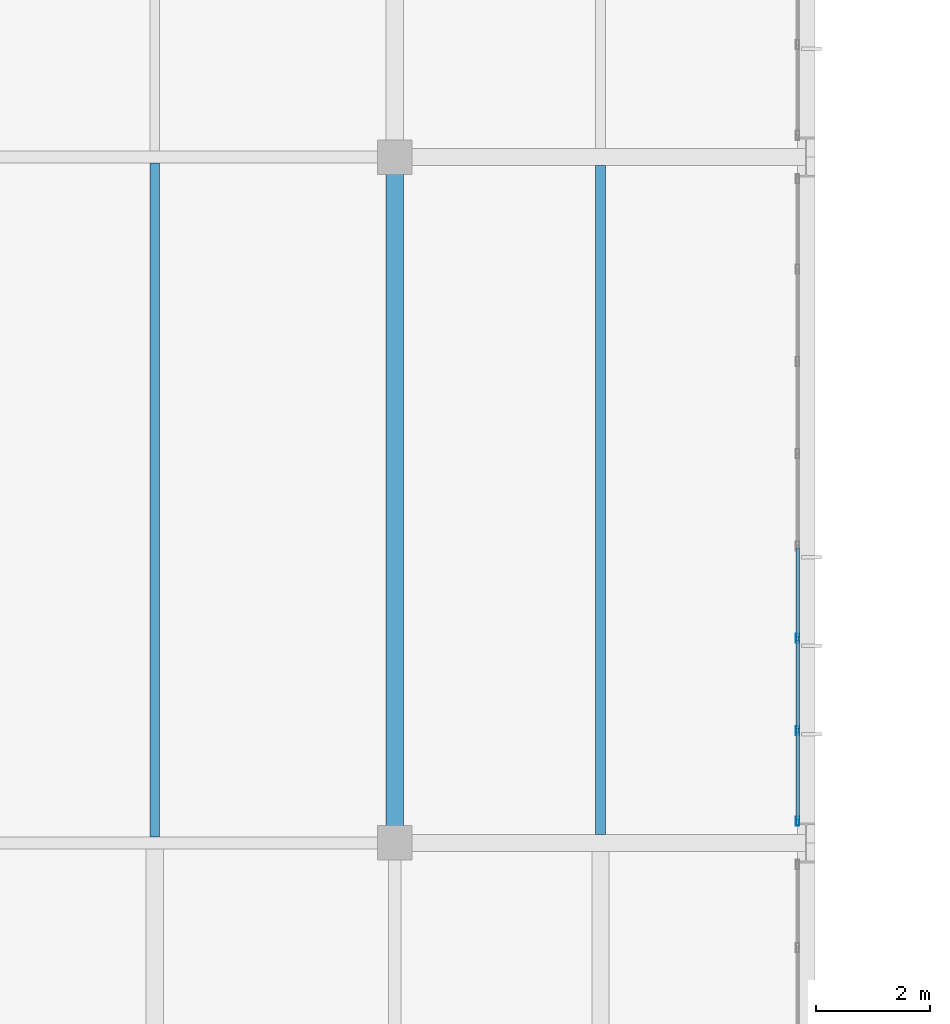
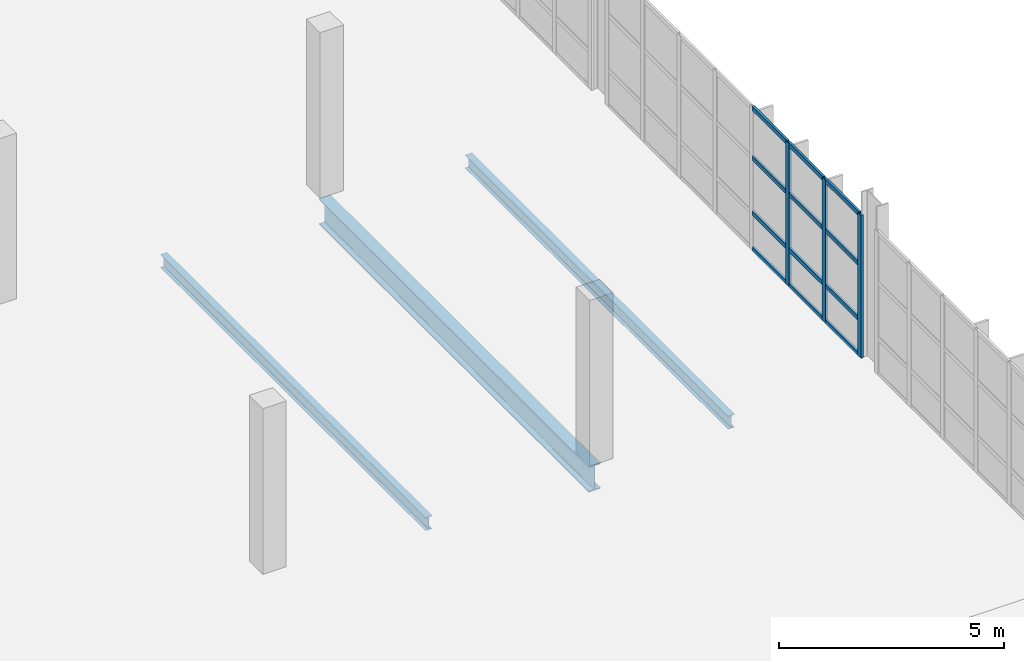
# One storey, part 75 of 113: 15 members, 3 beams, 1 element without a shape of its own.
"""IFC4 building model written with IfcOpenShell, lengths in metres."""

from ifc_helpers import new_model, si_unit, direction, frame, origin, origin_2d, place, context, subcontext, project, spatial, hollow_rectangle, i_section, extrude, material, material_profile, profile_set, type_object, element, aggregate, save


model = new_model("IFC4")

# Units and contexts
model_context = context("Model", 3, precision=1e-05, world=origin(), true_north=direction((0.0, 1.0)))
body_context = subcontext(model_context, "Body", "Model", "MODEL_VIEW")
ifc_project = project(units=[si_unit("LENGTHUNIT", "METRE"), si_unit("AREAUNIT", "SQUARE_METRE"), si_unit("VOLUMEUNIT", "CUBIC_METRE"), si_unit("PLANEANGLEUNIT", "RADIAN"), si_unit("MASSUNIT", "GRAM", prefix="KILO")], contexts=[model_context])

# Site, building, storey
site_placement = place(None, origin())
site = spatial("IfcSite", under=ifc_project, at=site_placement, CompositionType="ELEMENT")
building_placement = place(site_placement, origin())
building = spatial("IfcBuilding", under=site, at=building_placement, Name="Veltarok Museum of Natural Sciences", CompositionType="ELEMENT")
storey_placement = place(building_placement, frame((0.0, 0.0, 8.39990234375)))
storey = spatial("IfcBuildingStorey", under=building, at=storey_placement, Name="L01", CompositionType="ELEMENT", Elevation=8.39990234375)

# Curtain wall, members
ifc_material_1 = material(Name="Low-iron triple insulated glass", Category="glass")
curtain_wall_type = type_object("IfcCurtainWallType", Name="Curtain Wall System CW-V5E-L01-E-1130x388 (V5 East Lab L01 E-F 1130x388cm)", PredefinedType="NOTDEFINED", material=ifc_material_1)
curtain_wall_placement = place(storey_placement, origin())
curtain_wall = element("IfcCurtainWall", 1, at=curtain_wall_placement, inside=storey, type_object=curtain_wall_type, Name="Curtain Wall CW-V5E-L01-E-1130x388 CW-0106", PredefinedType="NOTDEFINED")
ifc_material_2 = material(Name="Thermally broken anodised aluminium", Category="aluminium")
ifc_material_profile_1 = material_profile(ifc_material_2, hollow_rectangle(XDim=0.06005859375, YDim=0.1201171875, WallThickness=0.0048828125, at=origin_2d()), Name="CW TRANSOM 60x120x5")
ifc_profile_set_1 = profile_set([ifc_material_profile_1], Name="Thermally broken anodised aluminium")
member_type_1 = type_object("IfcMemberType", Name="Curtain Wall Horizontal Transom 60x120x5", PredefinedType="USERDEFINED", material=ifc_profile_set_1)
member_1_placement = place(storey_placement, frame((164.64990234375, 36.409912109375, 0.030029296875), z_axis=(0.0, 1.0, 0.0), x_axis=(-1.0, 0.0, 0.0)))
member_1 = element("IfcMember", 2, at=member_1_placement, type_object=member_type_1, Name="CW-V5E-L01-E-1130x388 transom 1.1", ObjectType="TRANSOM", PredefinedType="USERDEFINED", context=body_context, shape_type="SweptSolid", body=[
    extrude(hollow_rectangle(XDim=0.06005859375, YDim=0.1201171875, WallThickness=0.0048828125, at=origin_2d()), origin(), (0.0, 0.0, 1.0), 1.5244140625),
])
member_2_placement = place(storey_placement, frame((164.64990234375, 36.409912109375, 1.0), z_axis=(0.0, 1.0, 0.0), x_axis=(-1.0, 0.0, 0.0)))
member_2 = element("IfcMember", 3, at=member_2_placement, type_object=member_type_1, Name="CW-V5E-L01-E-1130x388 transom 1.2", ObjectType="TRANSOM", PredefinedType="USERDEFINED", context=body_context, shape_type="SweptSolid", body=[
    extrude(hollow_rectangle(XDim=0.06005859375, YDim=0.1201171875, WallThickness=0.0048828125, at=origin_2d()), origin(), (0.0, 0.0, 1.0), 1.5244140625),
])
member_3_placement = place(storey_placement, frame((164.64990234375, 36.409912109375, 2.5), z_axis=(0.0, 1.0, 0.0), x_axis=(-1.0, 0.0, 0.0)))
member_3 = element("IfcMember", 4, at=member_3_placement, type_object=member_type_1, Name="CW-V5E-L01-E-1130x388 transom 1.3", ObjectType="TRANSOM", PredefinedType="USERDEFINED", context=body_context, shape_type="SweptSolid", body=[
    extrude(hollow_rectangle(XDim=0.06005859375, YDim=0.1201171875, WallThickness=0.0048828125, at=origin_2d()), origin(), (0.0, 0.0, 1.0), 1.5244140625),
])
member_4_placement = place(storey_placement, frame((164.64990234375, 36.409912109375, 3.85009765625), z_axis=(0.0, 1.0, 0.0), x_axis=(-1.0, 0.0, 0.0)))
member_4 = element("IfcMember", 5, at=member_4_placement, type_object=member_type_1, Name="CW-V5E-L01-E-1130x388 transom 1.4", ObjectType="TRANSOM", PredefinedType="USERDEFINED", context=body_context, shape_type="SweptSolid", body=[
    extrude(hollow_rectangle(XDim=0.06005859375, YDim=0.1201171875, WallThickness=0.0048828125, at=origin_2d()), origin(), (0.0, 0.0, 1.0), 1.5244140625),
])
member_5_placement = place(storey_placement, frame((164.64990234375, 37.994384765625, 0.030029296875), z_axis=(0.0, 1.0, 0.0), x_axis=(-1.0, 0.0, 0.0)))
member_5 = element("IfcMember", 6, at=member_5_placement, type_object=member_type_1, Name="CW-V5E-L01-E-1130x388 transom 2.1", ObjectType="TRANSOM", PredefinedType="USERDEFINED", context=body_context, shape_type="SweptSolid", body=[
    extrude(hollow_rectangle(XDim=0.06005859375, YDim=0.1201171875, WallThickness=0.0048828125, at=origin_2d()), origin(), (0.0, 0.0, 1.0), 1.55419921875),
])
member_6_placement = place(storey_placement, frame((164.64990234375, 37.994384765625, 1.0), z_axis=(0.0, 1.0, 0.0), x_axis=(-1.0, 0.0, 0.0)))
member_6 = element("IfcMember", 7, at=member_6_placement, type_object=member_type_1, Name="CW-V5E-L01-E-1130x388 transom 2.2", ObjectType="TRANSOM", PredefinedType="USERDEFINED", context=body_context, shape_type="SweptSolid", body=[
    extrude(hollow_rectangle(XDim=0.06005859375, YDim=0.1201171875, WallThickness=0.0048828125, at=origin_2d()), origin(), (0.0, 0.0, 1.0), 1.55419921875),
])
member_7_placement = place(storey_placement, frame((164.64990234375, 37.994384765625, 2.5), z_axis=(0.0, 1.0, 0.0), x_axis=(-1.0, 0.0, 0.0)))
member_7 = element("IfcMember", 8, at=member_7_placement, type_object=member_type_1, Name="CW-V5E-L01-E-1130x388 transom 2.3", ObjectType="TRANSOM", PredefinedType="USERDEFINED", context=body_context, shape_type="SweptSolid", body=[
    extrude(hollow_rectangle(XDim=0.06005859375, YDim=0.1201171875, WallThickness=0.0048828125, at=origin_2d()), origin(), (0.0, 0.0, 1.0), 1.55419921875),
])
member_8_placement = place(storey_placement, frame((164.64990234375, 37.994384765625, 3.85009765625), z_axis=(0.0, 1.0, 0.0), x_axis=(-1.0, 0.0, 0.0)))
member_8 = element("IfcMember", 9, at=member_8_placement, type_object=member_type_1, Name="CW-V5E-L01-E-1130x388 transom 2.4", ObjectType="TRANSOM", PredefinedType="USERDEFINED", context=body_context, shape_type="SweptSolid", body=[
    extrude(hollow_rectangle(XDim=0.06005859375, YDim=0.1201171875, WallThickness=0.0048828125, at=origin_2d()), origin(), (0.0, 0.0, 1.0), 1.55419921875),
])
member_9_placement = place(storey_placement, frame((164.64990234375, 39.608642578125, 0.030029296875), z_axis=(0.0, 1.0, 0.0), x_axis=(-1.0, 0.0, 0.0)))
member_9 = element("IfcMember", 10, at=member_9_placement, type_object=member_type_1, Name="CW-V5E-L01-E-1130x388 transom 3.1", ObjectType="TRANSOM", PredefinedType="USERDEFINED", context=body_context, shape_type="SweptSolid", body=[
    extrude(hollow_rectangle(XDim=0.06005859375, YDim=0.1201171875, WallThickness=0.0048828125, at=origin_2d()), origin(), (0.0, 0.0, 1.0), 1.55419921875),
])
member_10_placement = place(storey_placement, frame((164.64990234375, 39.608642578125, 1.0), z_axis=(0.0, 1.0, 0.0), x_axis=(-1.0, 0.0, 0.0)))
member_10 = element("IfcMember", 11, at=member_10_placement, type_object=member_type_1, Name="CW-V5E-L01-E-1130x388 transom 3.2", ObjectType="TRANSOM", PredefinedType="USERDEFINED", context=body_context, shape_type="SweptSolid", body=[
    extrude(hollow_rectangle(XDim=0.06005859375, YDim=0.1201171875, WallThickness=0.0048828125, at=origin_2d()), origin(), (0.0, 0.0, 1.0), 1.55419921875),
])
member_11_placement = place(storey_placement, frame((164.64990234375, 39.608642578125, 2.5), z_axis=(0.0, 1.0, 0.0), x_axis=(-1.0, 0.0, 0.0)))
member_11 = element("IfcMember", 12, at=member_11_placement, type_object=member_type_1, Name="CW-V5E-L01-E-1130x388 transom 3.3", ObjectType="TRANSOM", PredefinedType="USERDEFINED", context=body_context, shape_type="SweptSolid", body=[
    extrude(hollow_rectangle(XDim=0.06005859375, YDim=0.1201171875, WallThickness=0.0048828125, at=origin_2d()), origin(), (0.0, 0.0, 1.0), 1.55419921875),
])
member_12_placement = place(storey_placement, frame((164.64990234375, 39.608642578125, 3.85009765625), z_axis=(0.0, 1.0, 0.0), x_axis=(-1.0, 0.0, 0.0)))
member_12 = element("IfcMember", 13, at=member_12_placement, type_object=member_type_1, Name="CW-V5E-L01-E-1130x388 transom 3.4", ObjectType="TRANSOM", PredefinedType="USERDEFINED", context=body_context, shape_type="SweptSolid", body=[
    extrude(hollow_rectangle(XDim=0.06005859375, YDim=0.1201171875, WallThickness=0.0048828125, at=origin_2d()), origin(), (0.0, 0.0, 1.0), 1.55419921875),
])
ifc_material_profile_2 = material_profile(ifc_material_2, hollow_rectangle(XDim=0.06005859375, YDim=0.159912109375, WallThickness=0.0048828125, at=origin_2d()), Name="CW MULLION 60x160x5")
ifc_profile_set_2 = profile_set([ifc_material_profile_2], Name="Thermally broken anodised aluminium")
member_type_2 = type_object("IfcMemberType", Name="Curtain Wall Vertical Mullion 60x160x5", PredefinedType="MULLION", material=ifc_profile_set_2)
member_13_placement = place(storey_placement, frame((164.64990234375, 36.3798828125, 0.0), z_axis=(0.0, 0.0, 1.0), x_axis=(-1.0, 0.0, 0.0)))
member_13 = element("IfcMember", 14, at=member_13_placement, type_object=member_type_2, Name="CW-V5E-L01-E-1130x388 mullion 1", PredefinedType="MULLION", context=body_context, shape_type="SweptSolid", body=[
    extrude(hollow_rectangle(XDim=0.06005859375, YDim=0.159912109375, WallThickness=0.0048828125, at=origin_2d()), origin(), (0.0, 0.0, 1.0), 3.880126953125),
])
member_14_placement = place(storey_placement, frame((164.64990234375, 37.96435546875, 0.0), z_axis=(0.0, 0.0, 1.0), x_axis=(-1.0, 0.0, 0.0)))
member_14 = element("IfcMember", 15, at=member_14_placement, type_object=member_type_2, Name="CW-V5E-L01-E-1130x388 mullion 2", PredefinedType="MULLION", context=body_context, shape_type="SweptSolid", body=[
    extrude(hollow_rectangle(XDim=0.06005859375, YDim=0.159912109375, WallThickness=0.0048828125, at=origin_2d()), origin(), (0.0, 0.0, 1.0), 3.880126953125),
])
member_15_placement = place(storey_placement, frame((164.64990234375, 39.57861328125, 0.0), z_axis=(0.0, 0.0, 1.0), x_axis=(-1.0, 0.0, 0.0)))
member_15 = element("IfcMember", 16, at=member_15_placement, type_object=member_type_2, Name="CW-V5E-L01-E-1130x388 mullion 3", PredefinedType="MULLION", context=body_context, shape_type="SweptSolid", body=[
    extrude(hollow_rectangle(XDim=0.06005859375, YDim=0.159912109375, WallThickness=0.0048828125, at=origin_2d()), origin(), (0.0, 0.0, 1.0), 3.880126953125),
])
aggregate(curtain_wall, [member_13, member_14, member_15, member_1, member_2, member_3, member_4, member_5, member_6, member_7, member_8, member_9, member_10, member_11, member_12])

# Beams
ifc_material_3 = material(Name="Steel S355J2", Category="steel")
ifc_material_profile_3 = material_profile(ifc_material_3, i_section(OverallWidth=0.169921875, OverallDepth=0.360107421875, WebThickness=0.008056640625, FlangeThickness=0.0126953125, FilletRadius=0.01806640625, at=origin_2d()), Name="IPE 360")
ifc_profile_set_3 = profile_set([ifc_material_profile_3], Name="Steel S355J2")
beam_type_1 = type_object("IfcBeamType", Name="Long-Bay Composite Joist IPE 360", PredefinedType="JOIST", material=ifc_profile_set_3)
beam_1_placement = place(storey_placement, frame((153.39990234375, 36.10302734375, -0.429931640625), z_axis=(0.0, 1.0, 0.0), x_axis=(-1.0, 0.0, 0.0)))
element("IfcBeam", 17, at=beam_1_placement, inside=storey, type_object=beam_type_1, Name="Secondary Joist BM-J01 L01 18-19/E-F.1", PredefinedType="JOIST", context=body_context, shape_type="SweptSolid", body=[
    extrude(i_section(OverallWidth=0.169921875, OverallDepth=0.360107421875, WebThickness=0.008056640625, FlangeThickness=0.0126953125, FilletRadius=0.01806640625, at=origin_2d()), origin(), (0.0, 0.0, 1.0), 11.7939453125),
])
beam_2_placement = place(storey_placement, frame((161.199951171875, 36.14794921875, -0.429931640625), z_axis=(0.0, 1.0, 0.0), x_axis=(-1.0, 0.0, 0.0)))
element("IfcBeam", 18, at=beam_2_placement, inside=storey, type_object=beam_type_1, Name="Secondary Joist BM-J01 L01 19-20/E-F.1", PredefinedType="JOIST", context=body_context, shape_type="SweptSolid", body=[
    extrude(i_section(OverallWidth=0.169921875, OverallDepth=0.360107421875, WebThickness=0.008056640625, FlangeThickness=0.0126953125, FilletRadius=0.01806640625, at=origin_2d()), origin(), (0.0, 0.0, 1.0), 11.7041015625),
])
ifc_material_profile_4 = material_profile(ifc_material_3, i_section(OverallWidth=0.300048828125, OverallDepth=0.699951171875, WebThickness=0.01708984375, FlangeThickness=0.031982421875, FilletRadius=0.027099609375, at=origin_2d()), Name="HEB 700")
ifc_profile_set_4 = profile_set([ifc_material_profile_4], Name="Steel S355J2")
beam_type_2 = type_object("IfcBeamType", Name="Long-Span Hall Girder HEB 700", PredefinedType="BEAM", material=ifc_profile_set_4)
beam_3_placement = place(storey_placement, frame((157.60009765625, 36.0, -0.599853515625), z_axis=(0.0, 1.0, 0.0), x_axis=(-1.0, 0.0, 0.0)))
element("IfcBeam", 19, at=beam_3_placement, inside=storey, type_object=beam_type_2, Name="Beam BM-G01 L01 19/E-F", PredefinedType="BEAM", context=body_context, shape_type="SweptSolid", body=[
    extrude(i_section(OverallWidth=0.300048828125, OverallDepth=0.699951171875, WebThickness=0.01708984375, FlangeThickness=0.031982421875, FilletRadius=0.027099609375, at=origin_2d()), origin(), (0.0, 0.0, 1.0), 12.0),
])

save(model, "model.ifc")
